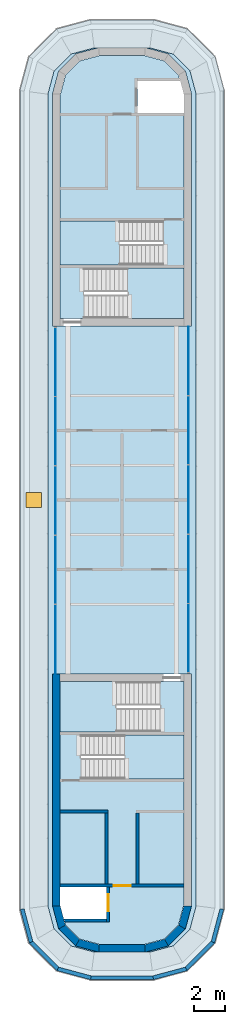
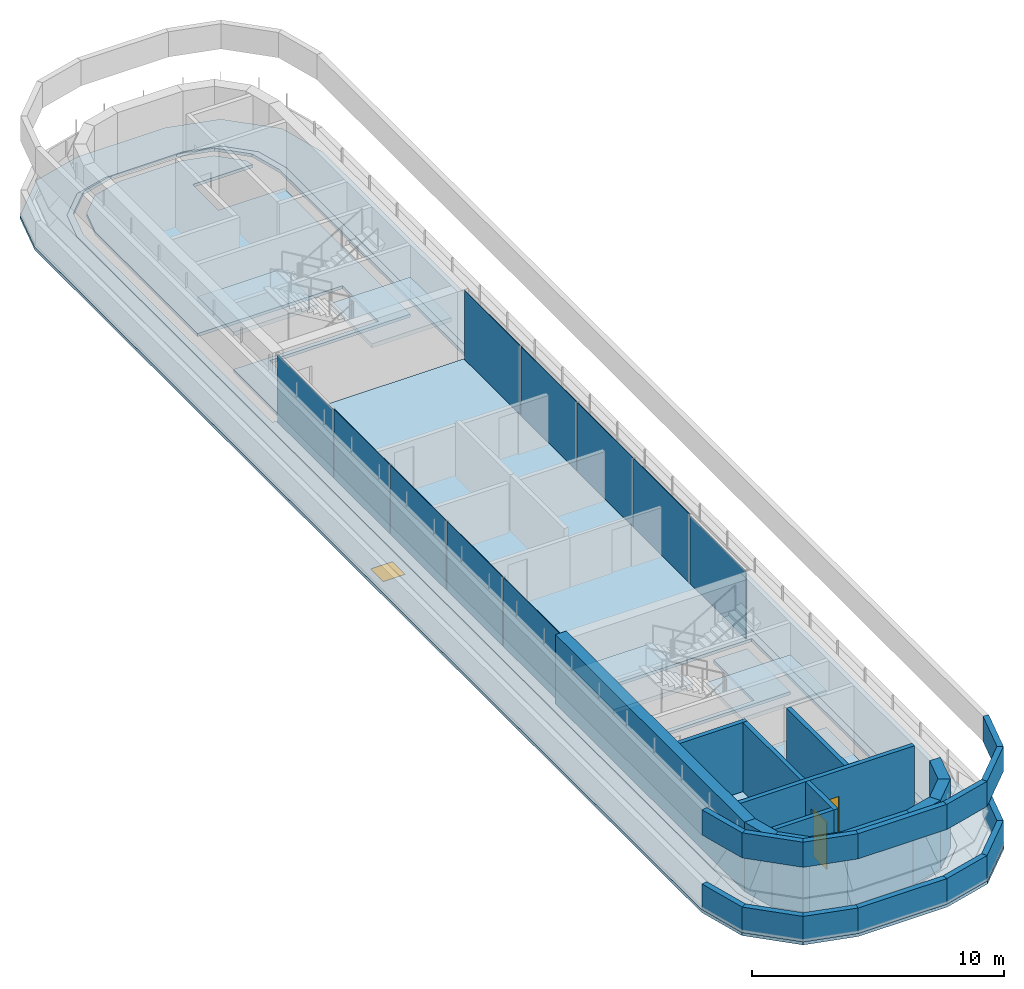
# One storey, part 2 of 6: 28 walls, 10 plates, 8 slabs, 2 doors, 1 window, 3 openings, 6 elements without a shape of their own.
"""IFC4 building model written with IfcOpenShell, lengths in metres."""

from ifc_helpers import new_model, si_unit, direction, frame, frame_2d, origin, origin_2d, place, context, subcontext, project, spatial, polyline, rectangle, outline, extrude, source, transform, mapped, material, layer, layer_set, type_object, element, fill, aggregate, save


model = new_model("IFC4")

# Units and contexts
model_context = context("Model", 3, precision=1e-05, world=origin(), true_north=direction((0.0, 1.0)))
body_context = subcontext(model_context, "Body", "Model", "MODEL_VIEW")
ifc_project = project(units=[si_unit("LENGTHUNIT", "METRE"), si_unit("AREAUNIT", "SQUARE_METRE"), si_unit("VOLUMEUNIT", "CUBIC_METRE"), si_unit("PLANEANGLEUNIT", "RADIAN"), si_unit("MASSUNIT", "GRAM", prefix="KILO")], contexts=[model_context])

# Site, building, storey
site_placement = place(None, origin())
site = spatial("IfcSite", under=ifc_project, at=site_placement, CompositionType="ELEMENT")
building_placement = place(site_placement, origin())
building = spatial("IfcBuilding", under=site, at=building_placement, Name="Zarbagh Exchange Tower", CompositionType="ELEMENT")
storey_placement = place(building_placement, frame((0.0, 0.0, 316.800048828125)))
storey = spatial("IfcBuildingStorey", under=building, at=storey_placement, Name="L78", CompositionType="ELEMENT", Elevation=316.800048828125)

# Slabs
ifc_material_1 = material(Name="Concrete C40/50", Category="concrete")
ifc_layer_1 = layer(ifc_material_1, 0.14990234375)
ifc_layer_set_1 = layer_set([ifc_layer_1], Name="Composite floor slab 150 C40/50")
slab_type_1 = type_object("IfcSlabType", Name="Composite floor slab 150 C40/50", PredefinedType="FLOOR", material=ifc_layer_set_1)
slab_1_placement = place(storey_placement, frame((0.0, 0.0, -0.150146484375)))
element("IfcSlab", 1, at=slab_1_placement, inside=storey, type_object=slab_type_1, Name="S5 composite floor slab", PredefinedType="FLOOR", context=body_context, shape_type="SweptSolid", body=[
    extrude(outline(polyline([(1.5, -29.25), (3.0, -28.84814453125), (4.09814453125, -27.75), (4.5, -26.25), (4.5, -11.25), (-4.5, -11.25), (-4.5, -26.25), (-4.09814453125, -27.75), (-3.0, -28.84814453125), (-1.5, -29.25), (-1.800048828125, -29.25), (-3.300048828125, -28.84814453125), (-4.398193359375, -27.75), (-4.800048828125, -26.25), (-4.800048828125, 26.25), (-4.398193359375, 27.75), (-3.300048828125, 28.84814453125), (-1.800048828125, 29.25), (-1.5, 29.25), (-3.0, 28.84814453125), (-4.09814453125, 27.75), (-4.5, 26.25), (-4.5, 11.25), (4.5, 11.25), (4.5, 26.25), (4.09814453125, 27.75), (3.0, 28.84814453125), (1.5, 29.25), (1.800048828125, 29.25), (3.300048828125, 28.84814453125), (4.398193359375, 27.75), (4.800048828125, 26.25), (4.800048828125, -26.25), (4.398193359375, -27.75), (3.300048828125, -28.84814453125), (1.800048828125, -29.25), (1.5, -29.25)])), origin(), (0.0, 0.0, 1.0), 0.150146484375),
])
ifc_layer_2 = layer(ifc_material_1, 0.14990234375)
ifc_layer_set_2 = layer_set([ifc_layer_2], Name="Core floor slab 150 C40/50")
slab_type_2 = type_object("IfcSlabType", Name="Core floor slab 150 C40/50", PredefinedType="FLOOR", material=ifc_layer_set_2)
slab_2_placement = place(storey_placement, frame((0.0, 0.0, -0.150146484375)))
element("IfcSlab", 2, at=slab_2_placement, inside=storey, type_object=slab_type_2, Name="S17 core N", PredefinedType="FLOOR", context=body_context, shape_type="SweptSolid", body=[
    extrude(outline(polyline([(-4.0, 11.75), (-4.0, 15.199951171875), (2.64990234375, 15.199951171875), (2.64990234375, 18.050048828125), (-4.0, 18.050048828125), (-4.0, 26.18408203125), (-3.64990234375, 27.4912109375), (-2.7412109375, 28.39990234375), (-1.43408203125, 28.75), (1.43408203125, 28.75), (2.7412109375, 28.39990234375), (3.64990234375, 27.4912109375), (3.857666015625, 26.715087890625), (3.754638671875, 27.10009765625), (1.0, 27.10009765625), (1.0, 25.050048828125), (4.0, 25.050048828125), (4.0, 15.0), (-2.449951171875, 15.0), (-2.449951171875, 11.75), (-4.0, 11.75)])), origin(), (0.0, 0.0, 1.0), 0.150146484375),
])
slab_3_placement = place(storey_placement, frame((0.0, 0.0, -0.150146484375)))
element("IfcSlab", 3, at=slab_3_placement, inside=storey, type_object=slab_type_2, Name="S17 core S", PredefinedType="FLOOR", context=body_context, shape_type="SweptSolid", body=[
    extrude(outline(polyline([(-2.7412109375, -28.39990234375), (-3.64990234375, -27.4912109375), (-3.857666015625, -26.715087890625), (-3.754638671875, -27.10009765625), (-1.0, -27.10009765625), (-1.0, -25.050048828125), (-4.0, -25.050048828125), (-4.0, -15.0), (2.449951171875, -15.0), (2.449951171875, -11.75), (4.0, -11.75), (4.0, -15.199951171875), (-2.64990234375, -15.199951171875), (-2.64990234375, -18.050048828125), (4.0, -18.050048828125), (4.0, -26.18408203125), (3.64990234375, -27.4912109375), (2.7412109375, -28.39990234375), (1.43408203125, -28.75), (-1.43408203125, -28.75), (-2.7412109375, -28.39990234375)])), origin(), (0.0, 0.0, 1.0), 0.150146484375),
])

# Slab, opening, window
ifc_layer_3 = layer(ifc_material_1, 0.14990234375)
ifc_layer_set_3 = layer_set([ifc_layer_3], Name="Crown terrace roof slab 150 C40/50")
slab_type_3 = type_object("IfcSlabType", Name="Crown terrace roof slab 150 C40/50", PredefinedType="ROOF", material=ifc_layer_set_3)
slab_4_placement = place(storey_placement, frame((0.0, 0.0, -0.150146484375)))
slab_4 = element("IfcSlab", 4, at=slab_4_placement, inside=storey, type_object=slab_type_3, Name="S11 crown terrace roof slab", PredefinedType="ROOF", context=body_context, shape_type="SweptSolid", body=[
    extrude(outline(polyline([(-2.037109375, -31.050048828125), (-4.231689453125, -30.4619140625), (-6.011962890625, -28.681640625), (-6.60009765625, -26.487060546875), (-6.60009765625, 26.487060546875), (-6.011962890625, 28.681640625), (-4.231689453125, 30.4619140625), (-2.037109375, 31.050048828125), (2.037109375, 31.050048828125), (4.231689453125, 30.4619140625), (6.011962890625, 28.681640625), (6.60009765625, 26.487060546875), (6.60009765625, -26.487060546875), (6.011962890625, -28.681640625), (4.231689453125, -30.4619140625), (2.037109375, -31.050048828125), (-2.037109375, -31.050048828125)]), holes=[polyline([(3.300048828125, -28.84814453125), (4.398193359375, -27.75), (4.800048828125, -26.25), (4.800048828125, 26.25), (4.398193359375, 27.75), (3.300048828125, 28.84814453125), (1.800048828125, 29.25), (-1.800048828125, 29.25), (-3.300048828125, 28.84814453125), (-4.398193359375, 27.75), (-4.800048828125, 26.25), (-4.800048828125, -26.25), (-4.398193359375, -27.75), (-3.300048828125, -28.84814453125), (-1.800048828125, -29.25), (1.800048828125, -29.25), (3.300048828125, -28.84814453125)])]), origin(), (0.0, 0.0, 1.0), 0.150146484375),
])
opening_1_placement = place(slab_4_placement, frame((-5.699951171875, 0.0, 0.0)))
opening_1 = element("IfcOpeningElement", 5, at=opening_1_placement, cuts=slab_4, Name="Opening RH01", PredefinedType="OPENING", context=body_context, shape_type="SweptSolid", body=[
    extrude(rectangle(XDim=1.0, YDim=1.0, at=origin_2d()), frame((0.0, 0.0, -0.010009765625)), (0.0, 0.0, 1.0), 0.170166015625),
])
ifc_material_2 = material(Name="Aluminium", Category="aluminium")
window_type = type_object("IfcWindowType", Name="Roof access hatch, insulated aluminium", PartitioningType="SINGLE_PANEL", PredefinedType="SKYLIGHT", material=ifc_material_2)
window_placement = place(opening_1_placement, frame((0.0, 0.0, 0.10009765625)))
window = element("IfcWindow", 6, at=window_placement, inside=storey, type_object=window_type, Name="RH01 roof access hatch", OverallHeight=1.0, OverallWidth=1.0, PartitioningType="SINGLE_PANEL", PredefinedType="SKYLIGHT", context=body_context, shape_type="SweptSolid", body=[
    extrude(rectangle(XDim=1.0, YDim=1.0, at=origin_2d()), origin(), (0.0, 0.0, 1.0), 0.050048828125),
])
fill(opening_1, window)

# Stair, slab
stair_type = type_object("IfcStairType", Name="Exit stair two-flight half-turn", PredefinedType="HALF_TURN_STAIR", material=ifc_material_1)
stair_1_placement = place(storey_placement, origin())
stair_1 = element("IfcStair", 7, at=stair_1_placement, inside=storey, type_object=stair_type, Name="exit stair ST1", PredefinedType="HALF_TURN_STAIR")
ifc_layer_4 = layer(ifc_material_1, 0.199951171875)
ifc_layer_set_4 = layer_set([ifc_layer_4], Name="Stair landing 200 mm")
slab_type_4 = type_object("IfcSlabType", Name="Stair landing 200 mm", PredefinedType="LANDING", material=ifc_layer_set_4)
slab_5_placement = place(storey_placement, frame((0.0, 0.0, 1.599853515625)))
slab_5 = element("IfcSlab", 8, at=slab_5_placement, type_object=slab_type_4, Name="ST1 landing 1", PredefinedType="LANDING", context=body_context, shape_type="SweptSolid", body=[
    extrude(outline(polyline([(-0.14990234375, 18.050048828125), (-4.0, 18.050048828125), (-4.0, 15.199951171875), (-0.14990234375, 15.199951171875), (-0.14990234375, 18.050048828125)])), origin(), (0.0, 0.0, 1.0), 0.2001953125),
])
aggregate(stair_1, [slab_5])

stair_2_placement = place(storey_placement, origin())
stair_2 = element("IfcStair", 9, at=stair_2_placement, inside=storey, type_object=stair_type, Name="exit stair ST2", PredefinedType="HALF_TURN_STAIR")
slab_6_placement = place(storey_placement, frame((0.0, 0.0, 1.599853515625)))
slab_6 = element("IfcSlab", 10, at=slab_6_placement, type_object=slab_type_4, Name="ST2 landing 1", PredefinedType="LANDING", context=body_context, shape_type="SweptSolid", body=[
    extrude(outline(polyline([(0.35009765625, 11.75), (4.0, 11.75), (4.0, 15.0), (0.35009765625, 15.0), (0.35009765625, 11.75)])), origin(), (0.0, 0.0, 1.0), 0.2001953125),
])
aggregate(stair_2, [slab_6])

stair_3_placement = place(storey_placement, origin())
stair_3 = element("IfcStair", 11, at=stair_3_placement, inside=storey, type_object=stair_type, Name="exit stair ST3", PredefinedType="HALF_TURN_STAIR")
slab_7_placement = place(storey_placement, frame((0.0, 0.0, 1.599853515625)))
slab_7 = element("IfcSlab", 12, at=slab_7_placement, type_object=slab_type_4, Name="ST3 landing 1", PredefinedType="LANDING", context=body_context, shape_type="SweptSolid", body=[
    extrude(outline(polyline([(0.14990234375, -18.050048828125), (4.0, -18.050048828125), (4.0, -15.199951171875), (0.14990234375, -15.199951171875), (0.14990234375, -18.050048828125)])), origin(), (0.0, 0.0, 1.0), 0.2001953125),
])
aggregate(stair_3, [slab_7])

stair_4_placement = place(storey_placement, origin())
stair_4 = element("IfcStair", 13, at=stair_4_placement, inside=storey, type_object=stair_type, Name="exit stair ST4", PredefinedType="HALF_TURN_STAIR")
slab_8_placement = place(storey_placement, frame((0.0, 0.0, 1.599853515625)))
slab_8 = element("IfcSlab", 14, at=slab_8_placement, type_object=slab_type_4, Name="ST4 landing 1", PredefinedType="LANDING", context=body_context, shape_type="SweptSolid", body=[
    extrude(outline(polyline([(-0.35009765625, -11.75), (-4.0, -11.75), (-4.0, -15.0), (-0.35009765625, -15.0), (-0.35009765625, -11.75)])), origin(), (0.0, 0.0, 1.0), 0.2001953125),
])
aggregate(stair_4, [slab_8])

# Curtain wall, plate
ifc_material_3 = material(Name="Anodised aluminium frame and glazing", Category="aluminium")
curtain_wall_type = type_object("IfcCurtainWallType", Name="CWF Crown tier glazing", PredefinedType="NOTDEFINED", material=ifc_material_3)
curtain_wall_1_placement = place(storey_placement, origin())
curtain_wall_1 = element("IfcCurtainWall", 15, at=curtain_wall_1_placement, inside=storey, type_object=curtain_wall_type, Name="CWF51 curtain wall", PredefinedType="NOTDEFINED")
ifc_material_4 = material(Name="Low-e double glazed unit, 6+12+6 mm")
ifc_layer_5 = layer(ifc_material_4, 0.028076171875)
ifc_layer_set_5 = layer_set([ifc_layer_5], Name="PAF Glazing panel, Low-e double glazed unit, 6+12+6 mm")
plate_type = type_object("IfcPlateType", Name="PAF Glazing panel, Low-e double glazed unit, 6+12+6 mm", PredefinedType="CURTAIN_PANEL", material=ifc_layer_set_5)
shared_shape_1 = source(origin(), body_context, "Body", "SweptSolid", [
    extrude(outline(polyline([(0.0, -0.013916015625), (4.424072265625, -0.013916015625), (4.424072265625, 0.013916015625), (0.0, 0.013916015625), (0.0, -0.013916015625)])), origin(), (0.0, 0.0, 1.0), 3.2900390625),
])
placement = place(storey_placement, origin())
plate_1 = element("IfcPlate", 16, at=placement, type_object=plate_type, Name="CWF51 glazing panel 1.1", PredefinedType="CURTAIN_PANEL", context=body_context, shape_type="MappedRepresentation", body=[
    mapped(shared_shape_1, transform((4.300048828125, -11.14990234375, 0.0), x_axis=(0.0, 1.0, 0.0), y_axis=(-1.0, 0.0, 0.0), z_axis=(0.0, 0.0, 1.0))),
])

curtain_wall_2_placement = place(storey_placement, origin())
curtain_wall_2 = element("IfcCurtainWall", 17, at=curtain_wall_2_placement, inside=storey, type_object=curtain_wall_type, Name="CWF52 curtain wall", PredefinedType="NOTDEFINED")
plate_2 = element("IfcPlate", 18, at=placement, type_object=plate_type, Name="CWF52 glazing panel 1.1", PredefinedType="CURTAIN_PANEL", context=body_context, shape_type="MappedRepresentation", body=[
    mapped(shared_shape_1, transform((-4.300048828125, 11.14990234375, 0.0), x_axis=(0.0, -1.0, 0.0), y_axis=(1.0, 0.0, 0.0), z_axis=(0.0, 0.0, 1.0))),
])

# Plate
shared_shape_2 = source(origin(), body_context, "Body", "SweptSolid", [
    extrude(outline(polyline([(0.0, -0.013916015625), (4.424072265625, -0.013916015625), (4.424072265625, 0.013916015625), (0.0, 0.013916015625), (0.0, -0.013916015625)])), origin(), (0.0, 0.0, 1.0), 3.35009765625),
])
plate_3 = element("IfcPlate", 19, at=placement, type_object=plate_type, Name="CWF51 glazing panel 1.2", PredefinedType="CURTAIN_PANEL", context=body_context, shape_type="MappedRepresentation", body=[
    mapped(shared_shape_2, transform((4.300048828125, -6.666015625, 0.0), x_axis=(0.0, 1.0, 0.0), y_axis=(-1.0, 0.0, 0.0), z_axis=(0.0, 0.0, 1.0))),
])

plate_4 = element("IfcPlate", 20, at=placement, type_object=plate_type, Name="CWF51 glazing panel 1.3", PredefinedType="CURTAIN_PANEL", context=body_context, shape_type="MappedRepresentation", body=[
    mapped(shared_shape_2, transform((4.300048828125, -2.181884765625, 0.0), x_axis=(0.0, 1.0, 0.0), y_axis=(-1.0, 0.0, 0.0), z_axis=(0.0, 0.0, 1.0))),
])

plate_5 = element("IfcPlate", 21, at=placement, type_object=plate_type, Name="CWF51 glazing panel 1.4", PredefinedType="CURTAIN_PANEL", context=body_context, shape_type="MappedRepresentation", body=[
    mapped(shared_shape_2, transform((4.300048828125, 2.302001953125, 0.0), x_axis=(0.0, 1.0, 0.0), y_axis=(-1.0, 0.0, 0.0), z_axis=(0.0, 0.0, 1.0))),
])

plate_6 = element("IfcPlate", 22, at=placement, type_object=plate_type, Name="CWF51 glazing panel 1.5", PredefinedType="CURTAIN_PANEL", context=body_context, shape_type="MappedRepresentation", body=[
    mapped(shared_shape_2, transform((4.300048828125, 6.7861328125, 0.0), x_axis=(0.0, 1.0, 0.0), y_axis=(-1.0, 0.0, 0.0), z_axis=(0.0, 0.0, 1.0))),
])

aggregate(curtain_wall_1, [plate_1, plate_3, plate_4, plate_5, plate_6])

plate_7 = element("IfcPlate", 23, at=placement, type_object=plate_type, Name="CWF52 glazing panel 1.2", PredefinedType="CURTAIN_PANEL", context=body_context, shape_type="MappedRepresentation", body=[
    mapped(shared_shape_2, transform((-4.300048828125, 6.666015625, 0.0), x_axis=(0.0, -1.0, 0.0), y_axis=(1.0, 0.0, 0.0), z_axis=(0.0, 0.0, 1.0))),
])

plate_8 = element("IfcPlate", 24, at=placement, type_object=plate_type, Name="CWF52 glazing panel 1.3", PredefinedType="CURTAIN_PANEL", context=body_context, shape_type="MappedRepresentation", body=[
    mapped(shared_shape_2, transform((-4.300048828125, 2.181884765625, 0.0), x_axis=(0.0, -1.0, 0.0), y_axis=(1.0, 0.0, 0.0), z_axis=(0.0, 0.0, 1.0))),
])

plate_9 = element("IfcPlate", 25, at=placement, type_object=plate_type, Name="CWF52 glazing panel 1.4", PredefinedType="CURTAIN_PANEL", context=body_context, shape_type="MappedRepresentation", body=[
    mapped(shared_shape_2, transform((-4.300048828125, -2.302001953125, 0.0), x_axis=(0.0, -1.0, 0.0), y_axis=(1.0, 0.0, 0.0), z_axis=(0.0, 0.0, 1.0))),
])

plate_10 = element("IfcPlate", 26, at=placement, type_object=plate_type, Name="CWF52 glazing panel 1.5", PredefinedType="CURTAIN_PANEL", context=body_context, shape_type="MappedRepresentation", body=[
    mapped(shared_shape_2, transform((-4.300048828125, -6.7861328125, 0.0), x_axis=(0.0, -1.0, 0.0), y_axis=(1.0, 0.0, 0.0), z_axis=(0.0, 0.0, 1.0))),
])

aggregate(curtain_wall_2, [plate_2, plate_7, plate_8, plate_9, plate_10])

# Walls
ifc_layer_6 = layer(ifc_material_1, 0.25)
ifc_layer_set_6 = layer_set([ifc_layer_6], Name="Parapet wall, concrete C40/50")
wall_type_1 = type_object("IfcWallType", Name="Parapet wall, concrete C40/50", PredefinedType="PARAPET", material=ifc_layer_set_6)
wall_1_placement = place(storey_placement, origin())
element("IfcWall", 27, at=wall_1_placement, inside=storey, type_object=wall_type_1, Name="roof parapet", PredefinedType="PARAPET", context=body_context, shape_type="SweptSolid", body=[
    extrude(outline(polyline([(-2.0341796875, -31.030029296875), (-4.221435546875, -30.444091796875), (-4.092041015625, -30.2197265625), (-2.00146484375, -30.780029296875), (-2.0341796875, -31.030029296875)])), origin(), (0.0, 0.0, 1.0), 1.219970703125),
])
wall_2_placement = place(storey_placement, origin())
element("IfcWall", 28, at=wall_2_placement, inside=storey, type_object=wall_type_1, Name="roof parapet", PredefinedType="PARAPET", context=body_context, shape_type="SweptSolid", body=[
    extrude(outline(polyline([(-4.221435546875, -30.444091796875), (-5.993896484375, -28.67138671875), (-5.769775390625, -28.5419921875), (-4.092041015625, -30.2197265625), (-4.221435546875, -30.444091796875)])), origin(), (0.0, 0.0, 1.0), 1.219970703125),
])
wall_3_placement = place(storey_placement, origin())
element("IfcWall", 29, at=wall_3_placement, inside=storey, type_object=wall_type_1, Name="roof parapet", PredefinedType="PARAPET", context=body_context, shape_type="SweptSolid", body=[
    extrude(outline(polyline([(-5.993896484375, -28.67138671875), (-6.580078125, -26.484375), (-6.330078125, -26.451416015625), (-5.769775390625, -28.5419921875), (-5.993896484375, -28.67138671875)])), origin(), (0.0, 0.0, 1.0), 1.219970703125),
])
wall_4_placement = place(storey_placement, origin())
element("IfcWall", 30, at=wall_4_placement, inside=storey, type_object=wall_type_1, Name="roof parapet", PredefinedType="PARAPET", context=body_context, shape_type="SweptSolid", body=[
    extrude(outline(polyline([(6.580078125, -26.484375), (5.993896484375, -28.67138671875), (5.769775390625, -28.5419921875), (6.330078125, -26.451416015625), (6.580078125, -26.484375)])), origin(), (0.0, 0.0, 1.0), 1.219970703125),
])
wall_5_placement = place(storey_placement, origin())
element("IfcWall", 31, at=wall_5_placement, inside=storey, type_object=wall_type_1, Name="roof parapet", PredefinedType="PARAPET", context=body_context, shape_type="SweptSolid", body=[
    extrude(outline(polyline([(5.993896484375, -28.67138671875), (4.221435546875, -30.444091796875), (4.092041015625, -30.2197265625), (5.769775390625, -28.5419921875), (5.993896484375, -28.67138671875)])), origin(), (0.0, 0.0, 1.0), 1.219970703125),
])
wall_6_placement = place(storey_placement, origin())
element("IfcWall", 32, at=wall_6_placement, inside=storey, type_object=wall_type_1, Name="roof parapet", PredefinedType="PARAPET", context=body_context, shape_type="SweptSolid", body=[
    extrude(outline(polyline([(4.221435546875, -30.444091796875), (2.0341796875, -31.030029296875), (2.00146484375, -30.780029296875), (4.092041015625, -30.2197265625), (4.221435546875, -30.444091796875)])), origin(), (0.0, 0.0, 1.0), 1.219970703125),
])
wall_7_placement = place(storey_placement, origin())
element("IfcWall", 33, at=wall_7_placement, inside=storey, type_object=wall_type_1, Name="roof parapet", PredefinedType="PARAPET", context=body_context, shape_type="SweptSolid", body=[
    extrude(outline(polyline([(2.0341796875, -31.030029296875), (-2.0341796875, -31.030029296875), (-2.00146484375, -30.780029296875), (2.00146484375, -30.780029296875), (2.0341796875, -31.030029296875)])), origin(), (0.0, 0.0, 1.0), 1.219970703125),
])
wall_8_placement = place(storey_placement, frame((0.0, 0.0, 3.599853515625)))
element("IfcWall", 34, at=wall_8_placement, inside=storey, type_object=wall_type_1, Name="roof parapet", PredefinedType="PARAPET", context=body_context, shape_type="SweptSolid", body=[
    extrude(outline(polyline([(2.0341796875, -31.030029296875), (-2.0341796875, -31.030029296875), (-2.00146484375, -30.780029296875), (2.00146484375, -30.780029296875), (2.0341796875, -31.030029296875)])), origin(), (0.0, 0.0, 1.0), 1.22021484375),
])
wall_9_placement = place(storey_placement, frame((0.0, 0.0, 3.599853515625)))
element("IfcWall", 35, at=wall_9_placement, inside=storey, type_object=wall_type_1, Name="roof parapet", PredefinedType="PARAPET", context=body_context, shape_type="SweptSolid", body=[
    extrude(outline(polyline([(-2.0341796875, -31.030029296875), (-4.221435546875, -30.444091796875), (-4.092041015625, -30.2197265625), (-2.00146484375, -30.780029296875), (-2.0341796875, -31.030029296875)])), origin(), (0.0, 0.0, 1.0), 1.22021484375),
])
wall_10_placement = place(storey_placement, frame((0.0, 0.0, 3.599853515625)))
element("IfcWall", 36, at=wall_10_placement, inside=storey, type_object=wall_type_1, Name="roof parapet", PredefinedType="PARAPET", context=body_context, shape_type="SweptSolid", body=[
    extrude(outline(polyline([(-4.221435546875, -30.444091796875), (-5.993896484375, -28.67138671875), (-5.769775390625, -28.5419921875), (-4.092041015625, -30.2197265625), (-4.221435546875, -30.444091796875)])), origin(), (0.0, 0.0, 1.0), 1.22021484375),
])
wall_11_placement = place(storey_placement, frame((0.0, 0.0, 3.599853515625)))
element("IfcWall", 37, at=wall_11_placement, inside=storey, type_object=wall_type_1, Name="roof parapet", PredefinedType="PARAPET", context=body_context, shape_type="SweptSolid", body=[
    extrude(outline(polyline([(-5.993896484375, -28.67138671875), (-6.580078125, -26.484375), (-6.330078125, -26.451416015625), (-5.769775390625, -28.5419921875), (-5.993896484375, -28.67138671875)])), origin(), (0.0, 0.0, 1.0), 1.22021484375),
])
wall_12_placement = place(storey_placement, frame((0.0, 0.0, 3.599853515625)))
element("IfcWall", 38, at=wall_12_placement, inside=storey, type_object=wall_type_1, Name="roof parapet", PredefinedType="PARAPET", context=body_context, shape_type="SweptSolid", body=[
    extrude(outline(polyline([(6.580078125, -26.484375), (5.993896484375, -28.67138671875), (5.769775390625, -28.5419921875), (6.330078125, -26.451416015625), (6.580078125, -26.484375)])), origin(), (0.0, 0.0, 1.0), 1.22021484375),
])
wall_13_placement = place(storey_placement, frame((0.0, 0.0, 3.599853515625)))
element("IfcWall", 39, at=wall_13_placement, inside=storey, type_object=wall_type_1, Name="roof parapet", PredefinedType="PARAPET", context=body_context, shape_type="SweptSolid", body=[
    extrude(outline(polyline([(5.993896484375, -28.67138671875), (4.221435546875, -30.444091796875), (4.092041015625, -30.2197265625), (5.769775390625, -28.5419921875), (5.993896484375, -28.67138671875)])), origin(), (0.0, 0.0, 1.0), 1.22021484375),
])
wall_14_placement = place(storey_placement, frame((0.0, 0.0, 3.599853515625)))
element("IfcWall", 40, at=wall_14_placement, inside=storey, type_object=wall_type_1, Name="roof parapet", PredefinedType="PARAPET", context=body_context, shape_type="SweptSolid", body=[
    extrude(outline(polyline([(4.221435546875, -30.444091796875), (2.0341796875, -31.030029296875), (2.00146484375, -30.780029296875), (4.092041015625, -30.2197265625), (4.221435546875, -30.444091796875)])), origin(), (0.0, 0.0, 1.0), 1.22021484375),
])
ifc_layer_7 = layer(ifc_material_1, 0.5)
ifc_layer_set_7 = layer_set([ifc_layer_7], Name="RC core corner wall 500 C40/50")
wall_type_2 = type_object("IfcWallType", Name="RC core corner wall 500 C40/50", PredefinedType="SHEAR", material=ifc_layer_set_7)
wall_15_placement = place(storey_placement, origin())
element("IfcWall", 41, at=wall_15_placement, inside=storey, type_object=wall_type_2, Name="CW10 core S corner W", PredefinedType="SHEAR", context=body_context, shape_type="SweptSolid", body=[
    extrude(outline(polyline([(-4.5, -26.25), (-4.09814453125, -27.75), (-3.6650390625, -27.5), (-4.0, -26.25), (-4.5, -26.25)])), origin(), (0.0, 0.0, 1.0), 3.349853515625),
])
wall_16_placement = place(storey_placement, origin())
element("IfcWall", 42, at=wall_16_placement, inside=storey, type_object=wall_type_2, Name="CW10 core S corner W", PredefinedType="SHEAR", context=body_context, shape_type="SweptSolid", body=[
    extrude(outline(polyline([(-4.09814453125, -27.75), (-3.0, -28.84814453125), (-2.75, -28.4150390625), (-3.6650390625, -27.5), (-4.09814453125, -27.75)])), origin(), (0.0, 0.0, 1.0), 3.349853515625),
])
wall_17_placement = place(storey_placement, origin())
element("IfcWall", 43, at=wall_17_placement, inside=storey, type_object=wall_type_2, Name="CW10 core S corner W", PredefinedType="SHEAR", context=body_context, shape_type="SweptSolid", body=[
    extrude(outline(polyline([(-3.0, -28.84814453125), (-1.5, -29.25), (-1.5, -28.75), (-2.75, -28.4150390625), (-3.0, -28.84814453125)])), origin(), (0.0, 0.0, 1.0), 3.349853515625),
])
wall_18_placement = place(storey_placement, origin())
element("IfcWall", 44, at=wall_18_placement, inside=storey, type_object=wall_type_2, Name="CW10 core S corner E", PredefinedType="SHEAR", context=body_context, shape_type="SweptSolid", body=[
    extrude(outline(polyline([(4.5, -26.25), (4.09814453125, -27.75), (3.6650390625, -27.5), (4.0, -26.25), (4.5, -26.25)])), origin(), (0.0, 0.0, 1.0), 3.349853515625),
])
wall_19_placement = place(storey_placement, origin())
element("IfcWall", 45, at=wall_19_placement, inside=storey, type_object=wall_type_2, Name="CW10 core S corner E", PredefinedType="SHEAR", context=body_context, shape_type="SweptSolid", body=[
    extrude(outline(polyline([(4.09814453125, -27.75), (3.0, -28.84814453125), (2.75, -28.4150390625), (3.6650390625, -27.5), (4.09814453125, -27.75)])), origin(), (0.0, 0.0, 1.0), 3.349853515625),
])
wall_20_placement = place(storey_placement, origin())
element("IfcWall", 46, at=wall_20_placement, inside=storey, type_object=wall_type_2, Name="CW10 core S corner E", PredefinedType="SHEAR", context=body_context, shape_type="SweptSolid", body=[
    extrude(outline(polyline([(3.0, -28.84814453125), (1.5, -29.25), (1.5, -28.75), (2.75, -28.4150390625), (3.0, -28.84814453125)])), origin(), (0.0, 0.0, 1.0), 3.349853515625),
])
ifc_layer_8 = layer(ifc_material_1, 0.5)
ifc_layer_set_8 = layer_set([ifc_layer_8], Name="RC core wall 500 C40/50")
wall_type_3 = type_object("IfcWallType", Name="RC core wall 500 C40/50", PredefinedType="SHEAR", material=ifc_layer_set_8)
wall_21_placement = place(storey_placement, frame((-4.25, -11.25, 0.0), z_axis=(0.0, 0.0, 1.0), x_axis=(0.0, -1.0, 0.0)))
element("IfcWall", 47, at=wall_21_placement, inside=storey, type_object=wall_type_3, Name="CW9 core S W", PredefinedType="SHEAR", context=body_context, shape_type="SweptSolid", body=[
    extrude(rectangle(XDim=15.0, YDim=0.5, at=frame_2d((7.5, 0.0))), origin(), (0.0, 0.0, 1.0), 3.349853515625),
])
wall_22_placement = place(storey_placement, frame((-1.5, -29.0, 0.0), z_axis=(0.0, 0.0, 1.0), x_axis=(1.0, 0.0, 0.0)))
element("IfcWall", 48, at=wall_22_placement, inside=storey, type_object=wall_type_3, Name="CW9 core S outer end", PredefinedType="SHEAR", context=body_context, shape_type="SweptSolid", body=[
    extrude(rectangle(XDim=3.0, YDim=0.5, at=frame_2d((1.5, 0.0))), origin(), (0.0, 0.0, 1.0), 3.349853515625),
])
ifc_material_5 = material(Name="Dense blockwork", Category="masonry")
ifc_layer_9 = layer(ifc_material_5, 0.199951171875)
ifc_layer_set_9 = layer_set([ifc_layer_9], Name="Shaft wall 200 mm blockwork")
wall_type_4 = type_object("IfcWallType", Name="Shaft wall 200 mm blockwork", PredefinedType="PARTITIONING", material=ifc_layer_set_9)
wall_23_placement = place(storey_placement, frame((1.0, -24.85009765625, 0.0), z_axis=(0.0, 0.0, 1.0), x_axis=(0.0, 1.0, 0.0)))
element("IfcWall", 49, at=wall_23_placement, inside=storey, type_object=wall_type_4, Name="South core shaft wall LW-W", PredefinedType="PARTITIONING", context=body_context, shape_type="SweptSolid", body=[
    extrude(rectangle(XDim=4.60009765625, YDim=0.199951171875, at=frame_2d((2.300048828125, 0.0))), origin(), (0.0, 0.0, 1.0), 3.349853515625),
])
wall_24_placement = place(storey_placement, frame((-0.89990234375, -20.14990234375, 0.0), z_axis=(0.0, 0.0, 1.0), x_axis=(-1.0, 0.0, 0.0)))
element("IfcWall", 50, at=wall_24_placement, inside=storey, type_object=wall_type_4, Name="South core shaft wall AB-E", PredefinedType="PARTITIONING", context=body_context, shape_type="SweptSolid", body=[
    extrude(rectangle(XDim=3.10009765625, YDim=0.199951171875, at=frame_2d((1.550048828125, 0.0))), origin(), (0.0, 0.0, 1.0), 3.349853515625),
])
wall_25_placement = place(storey_placement, frame((-1.0, -24.85009765625, 0.0), z_axis=(0.0, 0.0, 1.0), x_axis=(0.0, 1.0, 0.0)))
element("IfcWall", 51, at=wall_25_placement, inside=storey, type_object=wall_type_4, Name="South core shaft wall LW-E", PredefinedType="PARTITIONING", context=body_context, shape_type="SweptSolid", body=[
    extrude(rectangle(XDim=4.60009765625, YDim=0.199951171875, at=frame_2d((2.300048828125, 0.0))), origin(), (0.0, 0.0, 1.0), 3.349853515625),
])

# Wall, opening, door
ifc_layer_10 = layer(ifc_material_1, 0.199951171875)
ifc_layer_set_10 = layer_set([ifc_layer_10], Name="Stair enclosure wall 200 mm RC C40/50")
wall_type_5 = type_object("IfcWallType", Name="Stair enclosure wall 200 mm RC C40/50", PredefinedType="SHEAR", material=ifc_layer_set_10)
wall_26_placement = place(storey_placement, frame((4.0, -24.949951171875, 0.0), z_axis=(0.0, 0.0, 1.0), x_axis=(-1.0, 0.0, 0.0)))
wall_26 = element("IfcWall", 52, at=wall_26_placement, inside=storey, type_object=wall_type_5, Name="South core lift shaft wall FFA", PredefinedType="SHEAR", context=body_context, shape_type="SweptSolid", body=[
    extrude(rectangle(XDim=8.0, YDim=0.199951171875, at=frame_2d((4.0, 0.0))), origin(), (0.0, 0.0, 1.0), 3.349853515625),
])
opening_2_placement = place(wall_26_placement, frame((3.449951171875, 0.0, 0.0)))
opening_2 = element("IfcOpeningElement", 53, at=opening_2_placement, cuts=wall_26, Name="Opening CD2-1100", PredefinedType="OPENING", context=body_context, shape_type="SweptSolid", body=[
    extrude(rectangle(XDim=1.10009765625, YDim=2.10009765625, at=frame_2d((0.550048828125, 1.050048828125))), frame((0.0, 0.10986328125, 0.0), z_axis=(0.0, -1.0, 0.0), x_axis=(1.0, 0.0, 0.0)), (0.0, 0.0, 1.0), 0.219970703125),
])
ifc_material_6 = material(Name="Steel", Category="steel")
door_type_1 = type_object("IfcDoorType", Name="Firefighting lobby door 1100 x 2100", OperationType="NOTDEFINED", PredefinedType="DOOR", material=ifc_material_6)
door_1_placement = place(opening_2_placement, origin())
door_1 = element("IfcDoor", 54, at=door_1_placement, inside=storey, type_object=door_type_1, Name="South core firefighting lobby door CL-FF", OperationType="SINGLE_SWING_RIGHT", OverallHeight=2.10009765625, OverallWidth=1.10009765625, PredefinedType="DOOR", context=body_context, shape_type="SweptSolid", body=[
    extrude(rectangle(XDim=1.10009765625, YDim=2.10009765625, at=frame_2d((0.550048828125, 1.050048828125))), frame((0.0, 0.02490234375, 0.0), z_axis=(0.0, -1.0, 0.0), x_axis=(1.0, 0.0, 0.0)), (0.0, 0.0, 1.0), 0.050048828125),
])
fill(opening_2, door_1)

wall_27_placement = place(storey_placement, frame((-0.89990234375, -27.300048828125, 0.0), z_axis=(0.0, 0.0, 1.0), x_axis=(0.0, 1.0, 0.0)))
wall_27 = element("IfcWall", 55, at=wall_27_placement, inside=storey, type_object=wall_type_5, Name="South core lift shaft wall FFL", PredefinedType="SHEAR", context=body_context, shape_type="SweptSolid", body=[
    extrude(rectangle(XDim=2.25, YDim=0.199951171875, at=frame_2d((1.125, 0.0))), origin(), (0.0, 0.0, 1.0), 3.349853515625),
])
opening_3_placement = place(wall_27_placement, frame((0.699951171875, 0.0, 0.0)))
opening_3 = element("IfcOpeningElement", 56, at=opening_3_placement, cuts=wall_27, Name="Opening LD-1100", PredefinedType="OPENING", context=body_context, shape_type="SweptSolid", body=[
    extrude(rectangle(XDim=1.10009765625, YDim=2.300048828125, at=frame_2d((0.550048828125, 1.14990234375))), frame((0.0, 0.10986328125, 0.0), z_axis=(0.0, -1.0, 0.0), x_axis=(1.0, 0.0, 0.0)), (0.0, 0.0, 1.0), 0.219970703125),
])
ifc_material_7 = material(Name="Stainless steel", Category="steel")
door_type_2 = type_object("IfcDoorType", Name="Lift landing door 1100 x 2300", OperationType="NOTDEFINED", PredefinedType="DOOR", material=ifc_material_7)
door_2_placement = place(opening_3_placement, origin())
door_2 = element("IfcDoor", 57, at=door_2_placement, inside=storey, type_object=door_type_2, Name="South core lift landing door LD-F", OperationType="DOUBLE_DOOR_SLIDING", OverallHeight=2.300048828125, OverallWidth=1.10009765625, PredefinedType="DOOR", context=body_context, shape_type="SweptSolid", body=[
    extrude(rectangle(XDim=1.10009765625, YDim=2.300048828125, at=frame_2d((0.550048828125, 1.14990234375))), frame((0.0, 0.02490234375, 0.0), z_axis=(0.0, -1.0, 0.0), x_axis=(1.0, 0.0, 0.0)), (0.0, 0.0, 1.0), 0.050048828125),
])
fill(opening_3, door_2)

# Wall
wall_28_placement = place(storey_placement, origin())
element("IfcWall", 58, at=wall_28_placement, inside=storey, type_object=wall_type_5, Name="South core lift shaft wall FFX", PredefinedType="SHEAR", context=body_context, shape_type="SweptSolid", body=[
    extrude(outline(polyline([(-1.0, -27.10009765625), (-3.754638671875, -27.10009765625), (-3.700927734375, -27.300048828125), (-1.0, -27.300048828125), (-1.0, -27.10009765625)])), origin(), (0.0, 0.0, 1.0), 3.349853515625),
])

save(model, "model.ifc")
